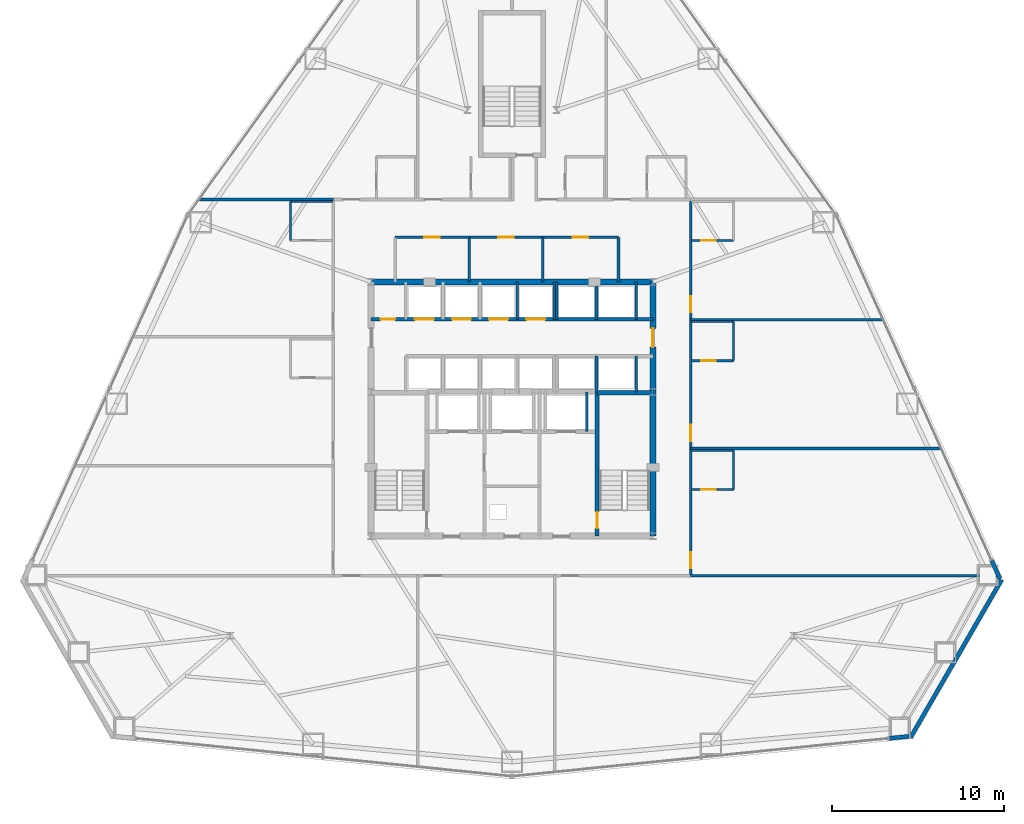
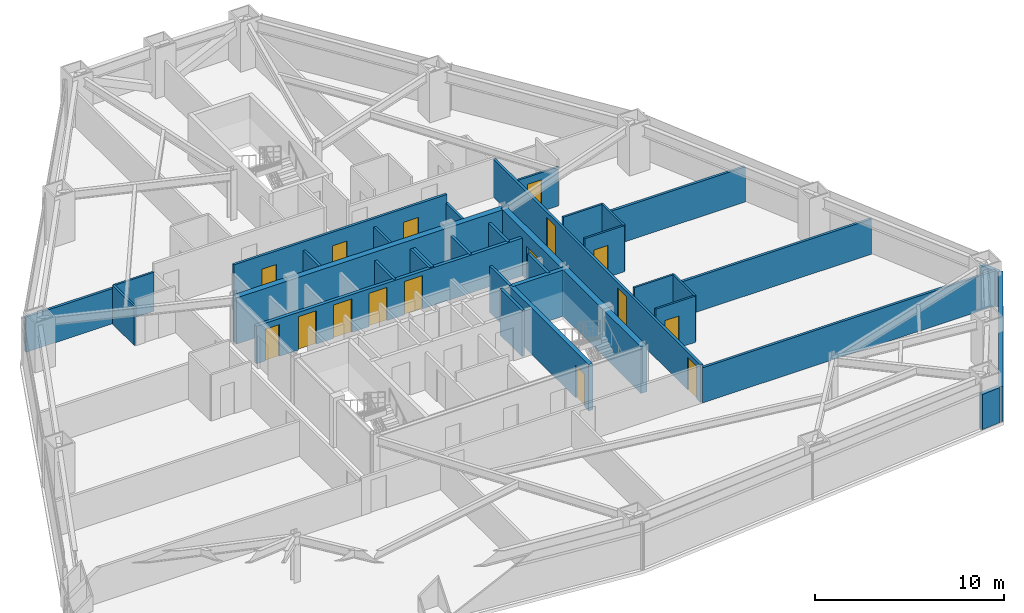
# One storey, part 10 of 12: 34 walls, 16 doors, 16 openings.
"""IFC4 building model written with IfcOpenShell, lengths in metres."""

from ifc_helpers import new_model, si_unit, direction, frame, frame_2d, origin, place, context, subcontext, project, spatial, rectangle, extrude, material, layer, layer_set, type_object, element, fill, save


model = new_model("IFC4")

# Units and contexts
model_context = context("Model", 3, precision=1e-05, world=origin(), true_north=direction((0.0, 1.0)))
body_context = subcontext(model_context, "Body", "Model", "MODEL_VIEW")
ifc_project = project(units=[si_unit("LENGTHUNIT", "METRE"), si_unit("AREAUNIT", "SQUARE_METRE"), si_unit("VOLUMEUNIT", "CUBIC_METRE"), si_unit("PLANEANGLEUNIT", "RADIAN"), si_unit("MASSUNIT", "GRAM", prefix="KILO")], contexts=[model_context])

# Site, building, storey
site_placement = place(None, origin())
site = spatial("IfcSite", under=ifc_project, at=site_placement, CompositionType="ELEMENT")
building_placement = place(site_placement, origin())
building = spatial("IfcBuilding", under=site, at=building_placement, Name="Varakhsha Concourse Tower", CompositionType="ELEMENT")
storey_placement = place(building_placement, frame((0.0, 0.0, 30.39990234375)))
storey = spatial("IfcBuildingStorey", under=building, at=storey_placement, Name="L07", CompositionType="ELEMENT", Elevation=30.39990234375)

# Wall
ifc_material_1 = material(Name="Concrete fc 65 MPa", Category="concrete")
ifc_layer_1 = layer(ifc_material_1, 0.35009765625, Name="WL-CORE-350")
ifc_layer_set_1 = layer_set([ifc_layer_1], Name="Concrete fc 65 MPa")
wall_type_1 = type_object("IfcWallType", Name="WL-CORE-350", PredefinedType="SHEAR", material=ifc_layer_set_1)
wall_1_placement = place(storey_placement, frame((31.800048828125, 31.199951171875, 0.0), z_axis=(0.0, 0.0, 1.0), x_axis=(1.0, 0.0, 0.0)))
element("IfcWall", 1, at=wall_1_placement, inside=storey, type_object=wall_type_1, Name="L07 Wall CWALL-N-L07", PredefinedType="SHEAR", context=body_context, shape_type="SweptSolid", body=[
    extrude(rectangle(XDim=16.39990234375, YDim=0.35009765625, at=frame_2d((8.199951171875, 0.0))), origin(), (0.0, 0.0, 1.0), 2.97998046875),
])

# Wall, opening, door
wall_2_placement = place(storey_placement, frame((48.199951171875, 16.39990234375, 0.0), z_axis=(0.0, 0.0, 1.0), x_axis=(0.0, 1.0, 0.0)))
wall_2 = element("IfcWall", 2, at=wall_2_placement, inside=storey, type_object=wall_type_1, Name="L07 Wall CWALL-E-L07", PredefinedType="SHEAR", context=body_context, shape_type="SweptSolid", body=[
    extrude(rectangle(XDim=14.800048828125, YDim=0.35009765625, at=frame_2d((7.39990234375, 0.0))), origin(), (0.0, 0.0, 1.0), 2.97998046875),
])
opening_1_placement = place(wall_2_placement, frame((11.0, 0.0, 0.0)))
opening_1 = element("IfcOpeningElement", 3, at=opening_1_placement, cuts=wall_2, Name="Opening DL-01", PredefinedType="OPENING", context=body_context, shape_type="SweptSolid", body=[
    extrude(rectangle(XDim=1.10009765625, YDim=2.14990234375, at=frame_2d((0.550048828125, 1.074951171875))), frame((0.0, 0.18505859375, 0.0), z_axis=(0.0, -1.0, 0.0), x_axis=(1.0, 0.0, 0.0)), (0.0, 0.0, 1.0), 0.3701171875),
])
ifc_material_2 = material(Name="Anodised Bronze Architectural Aluminium AA 6063-T6", Category="aluminium")
door_type_1 = type_object("IfcDoorType", Name="DR-LOB-1100", OperationType="NOTDEFINED", PredefinedType="DOOR", material=ifc_material_2)
door_1_placement = place(opening_1_placement, origin())
door_1 = element("IfcDoor", 4, at=door_1_placement, inside=storey, type_object=door_type_1, Name="L07 Lift Lobby East Concourse Door", OperationType="SINGLE_SWING_RIGHT", OverallHeight=2.14990234375, OverallWidth=1.10009765625, PredefinedType="DOOR", context=body_context, shape_type="SweptSolid", body=[
    extrude(rectangle(XDim=1.10009765625, YDim=2.14990234375, at=frame_2d((0.550048828125, 1.074951171875))), frame((0.0, 0.02490234375, 0.0), z_axis=(0.0, -1.0, 0.0), x_axis=(1.0, 0.0, 0.0)), (0.0, 0.0, 1.0), 0.050048828125),
])
fill(opening_1, door_1)

# Walls
ifc_material_3 = material(Name="Concrete fc 45 MPa", Category="concrete")
ifc_layer_2 = layer(ifc_material_3, 0.239990234375, Name="WL-EXT-CRN-240")
ifc_layer_set_2 = layer_set([ifc_layer_2], Name="Concrete fc 45 MPa")
wall_type_2 = type_object("IfcWallType", Name="WL-EXT-CRN-240", PredefinedType="SHEAR", material=ifc_layer_set_2)
wall_3_placement = place(storey_placement, frame((61.95654296875, 4.62060546875, 0.0), z_axis=(0.0, 0.0, 1.0), x_axis=(0.994970433754, 0.100169036914, 0.0)))
element("IfcWall", 5, at=wall_3_placement, inside=storey, type_object=wall_type_2, Name="L07 Wind-Corner Shoulder Wall F6", PredefinedType="SHEAR", context=body_context, shape_type="SweptSolid", body=[
    extrude(rectangle(XDim=1.16259765625, YDim=0.239990234375, at=frame_2d((0.581298828125, 0.0))), origin(), (0.0, 0.0, 1.0), 2.26318359375),
])
wall_4_placement = place(storey_placement, frame((68.509521484375, 13.85986328125, 0.0), z_axis=(0.0, 0.0, 1.0), x_axis=(-0.49998363312, -0.866034853001, 0.0)))
element("IfcWall", 6, at=wall_4_placement, inside=storey, type_object=wall_type_2, Name="L07 Chamfer Wind-Corner Insulated Wall F7", PredefinedType="SHEAR", context=body_context, shape_type="SweptSolid", body=[
    extrude(rectangle(XDim=10.599853515625, YDim=0.239990234375, at=frame_2d((5.2998046875, 0.0))), origin(), (0.0, 0.0, 1.0), 2.26318359375),
])
wall_5_placement = place(storey_placement, frame((68.412109375, 13.914794921875, 0.0), z_axis=(0.0, 0.0, 1.0), x_axis=(-0.410810004845, 0.91172097701, 0.0)))
element("IfcWall", 7, at=wall_5_placement, inside=storey, type_object=wall_type_2, Name="L07 Wind-Corner Shoulder Wall F8", PredefinedType="SHEAR", context=body_context, shape_type="SweptSolid", body=[
    extrude(rectangle(XDim=1.162353515625, YDim=0.239990234375, at=frame_2d((0.5810546875, 0.0))), origin(), (0.0, 0.0, 1.0), 2.26318359375),
])
ifc_material_4 = material(Name="Acoustic Gypsum Board Partition Assembly", Category="gypsum")
ifc_layer_3 = layer(ifc_material_4, 0.1201171875, Name="WL-PART-120")
ifc_layer_set_3 = layer_set([ifc_layer_3], Name="Acoustic Gypsum Board Partition Assembly")
wall_type_3 = type_object("IfcWallType", Name="WL-PART-120", PredefinedType="PARTITIONING", material=ifc_layer_set_3)
wall_6_placement = place(storey_placement, frame((27.110107421875, 33.610107421875, 0.0), z_axis=(0.0, 0.0, 1.0), x_axis=(0.0, 1.0, 0.0)))
element("IfcWall", 8, at=wall_6_placement, inside=storey, type_object=wall_type_3, Name="L07 Wall ENSW-W-L07-H06", PredefinedType="PARTITIONING", context=body_context, shape_type="SweptSolid", body=[
    extrude(rectangle(XDim=2.27978515625, YDim=0.1201171875, at=frame_2d((1.139892578125, 0.0))), origin(), (0.0, 0.0, 1.0), 2.51318359375),
])
wall_7_placement = place(storey_placement, frame((27.110107421875, 35.889892578125, 0.0), z_axis=(0.0, 0.0, 1.0), x_axis=(1.0, 0.0, 0.0)))
element("IfcWall", 9, at=wall_7_placement, inside=storey, type_object=wall_type_3, Name="L07 Wall ENSW-N-L07-H06", PredefinedType="PARTITIONING", context=body_context, shape_type="SweptSolid", body=[
    extrude(rectangle(XDim=2.429931640625, YDim=0.1201171875, at=frame_2d((1.21484375, 0.0))), origin(), (0.0, 0.0, 1.0), 2.51318359375),
])
wall_8_placement = place(storey_placement, frame((52.889892578125, 19.110107421875, 0.0), z_axis=(0.0, 0.0, 1.0), x_axis=(0.0, 1.0, 0.0)))
element("IfcWall", 10, at=wall_8_placement, inside=storey, type_object=wall_type_3, Name="L07 Wall ENSW-E-L07-H07", PredefinedType="PARTITIONING", context=body_context, shape_type="SweptSolid", body=[
    extrude(rectangle(XDim=2.27978515625, YDim=0.1201171875, at=frame_2d((1.139892578125, 0.0))), origin(), (0.0, 0.0, 1.0), 2.97998046875),
])

# Wall, opening, door
wall_9_placement = place(storey_placement, frame((50.4599609375, 19.110107421875, 0.0), z_axis=(0.0, 0.0, 1.0), x_axis=(1.0, 0.0, 0.0)))
wall_9 = element("IfcWall", 11, at=wall_9_placement, inside=storey, type_object=wall_type_3, Name="L07 Wall ENSW-S-L07-H07", PredefinedType="PARTITIONING", context=body_context, shape_type="SweptSolid", body=[
    extrude(rectangle(XDim=2.429931640625, YDim=0.1201171875, at=frame_2d((1.21484375, 0.0))), origin(), (0.0, 0.0, 1.0), 2.97998046875),
])
opening_2_placement = place(wall_9_placement, frame((0.550048828125, 0.0, 0.0)))
opening_2 = element("IfcOpeningElement", 12, at=opening_2_placement, cuts=wall_9, Name="Opening DI-01", PredefinedType="OPENING", context=body_context, shape_type="SweptSolid", body=[
    extrude(rectangle(XDim=0.85009765625, YDim=2.050048828125, at=frame_2d((0.425048828125, 1.02490234375))), frame((0.0, 0.070068359375, 0.0), z_axis=(0.0, -1.0, 0.0), x_axis=(1.0, 0.0, 0.0)), (0.0, 0.0, 1.0), 0.14013671875),
])
ifc_material_5 = material(Name="Architectural Walnut Acoustic Timber Door", Category="wood")
door_type_2 = type_object("IfcDoorType", Name="DR-INT-850", OperationType="NOTDEFINED", PredefinedType="DOOR", material=ifc_material_5)
door_2_placement = place(opening_2_placement, origin())
door_2 = element("IfcDoor", 13, at=door_2_placement, inside=storey, type_object=door_type_2, Name="L07 En-suite Bathroom Door L07-H07", OperationType="SINGLE_SWING_RIGHT", OverallHeight=2.050048828125, OverallWidth=0.85009765625, PredefinedType="DOOR", context=body_context, shape_type="SweptSolid", body=[
    extrude(rectangle(XDim=0.85009765625, YDim=2.050048828125, at=frame_2d((0.425048828125, 1.02490234375))), frame((0.0, 0.02490234375, 0.0), z_axis=(0.0, -1.0, 0.0), x_axis=(1.0, 0.0, 0.0)), (0.0, 0.0, 1.0), 0.050048828125),
])
fill(opening_2, door_2)

# Walls
wall_10_placement = place(storey_placement, frame((50.4599609375, 21.389892578125, 0.0), z_axis=(0.0, 0.0, 1.0), x_axis=(1.0, 0.0, 0.0)))
element("IfcWall", 14, at=wall_10_placement, inside=storey, type_object=wall_type_3, Name="L07 Wall ENSW-N-L07-H07", PredefinedType="PARTITIONING", context=body_context, shape_type="SweptSolid", body=[
    extrude(rectangle(XDim=2.429931640625, YDim=0.1201171875, at=frame_2d((1.21484375, 0.0))), origin(), (0.0, 0.0, 1.0), 2.97998046875),
])
wall_11_placement = place(storey_placement, frame((52.889892578125, 26.610107421875, 0.0), z_axis=(0.0, 0.0, 1.0), x_axis=(0.0, 1.0, 0.0)))
element("IfcWall", 15, at=wall_11_placement, inside=storey, type_object=wall_type_3, Name="L07 Wall ENSW-E-L07-H08", PredefinedType="PARTITIONING", context=body_context, shape_type="SweptSolid", body=[
    extrude(rectangle(XDim=2.27978515625, YDim=0.1201171875, at=frame_2d((1.139892578125, 0.0))), origin(), (0.0, 0.0, 1.0), 2.97998046875),
])

# Wall, opening, door
wall_12_placement = place(storey_placement, frame((50.4599609375, 26.610107421875, 0.0), z_axis=(0.0, 0.0, 1.0), x_axis=(1.0, 0.0, 0.0)))
wall_12 = element("IfcWall", 16, at=wall_12_placement, inside=storey, type_object=wall_type_3, Name="L07 Wall ENSW-S-L07-H08", PredefinedType="PARTITIONING", context=body_context, shape_type="SweptSolid", body=[
    extrude(rectangle(XDim=2.429931640625, YDim=0.1201171875, at=frame_2d((1.21484375, 0.0))), origin(), (0.0, 0.0, 1.0), 2.97998046875),
])
opening_3_placement = place(wall_12_placement, frame((0.550048828125, 0.0, 0.0)))
opening_3 = element("IfcOpeningElement", 17, at=opening_3_placement, cuts=wall_12, Name="Opening DI-01", PredefinedType="OPENING", context=body_context, shape_type="SweptSolid", body=[
    extrude(rectangle(XDim=0.85009765625, YDim=2.050048828125, at=frame_2d((0.425048828125, 1.02490234375))), frame((0.0, 0.070068359375, 0.0), z_axis=(0.0, -1.0, 0.0), x_axis=(1.0, 0.0, 0.0)), (0.0, 0.0, 1.0), 0.14013671875),
])
door_3_placement = place(opening_3_placement, origin())
door_3 = element("IfcDoor", 18, at=door_3_placement, inside=storey, type_object=door_type_2, Name="L07 En-suite Bathroom Door L07-H08", OperationType="SINGLE_SWING_RIGHT", OverallHeight=2.050048828125, OverallWidth=0.85009765625, PredefinedType="DOOR", context=body_context, shape_type="SweptSolid", body=[
    extrude(rectangle(XDim=0.85009765625, YDim=2.050048828125, at=frame_2d((0.425048828125, 1.02490234375))), frame((0.0, 0.02490234375, 0.0), z_axis=(0.0, -1.0, 0.0), x_axis=(1.0, 0.0, 0.0)), (0.0, 0.0, 1.0), 0.050048828125),
])
fill(opening_3, door_3)

# Wall
wall_13_placement = place(storey_placement, frame((50.4599609375, 28.889892578125, 0.0), z_axis=(0.0, 0.0, 1.0), x_axis=(1.0, 0.0, 0.0)))
element("IfcWall", 19, at=wall_13_placement, inside=storey, type_object=wall_type_3, Name="L07 Wall ENSW-N-L07-H08", PredefinedType="PARTITIONING", context=body_context, shape_type="SweptSolid", body=[
    extrude(rectangle(XDim=2.429931640625, YDim=0.1201171875, at=frame_2d((1.21484375, 0.0))), origin(), (0.0, 0.0, 1.0), 2.97998046875),
])

# Wall, opening, door
wall_14_placement = place(storey_placement, frame((50.4599609375, 33.610107421875, 0.0), z_axis=(0.0, 0.0, 1.0), x_axis=(1.0, 0.0, 0.0)))
wall_14 = element("IfcWall", 20, at=wall_14_placement, inside=storey, type_object=wall_type_3, Name="L07 Wall ENSW-S-L07-H09", PredefinedType="PARTITIONING", context=body_context, shape_type="SweptSolid", body=[
    extrude(rectangle(XDim=2.429931640625, YDim=0.1201171875, at=frame_2d((1.21484375, 0.0))), origin(), (0.0, 0.0, 1.0), 2.51318359375),
])
opening_4_placement = place(wall_14_placement, frame((0.550048828125, 0.0, 0.0)))
opening_4 = element("IfcOpeningElement", 21, at=opening_4_placement, cuts=wall_14, Name="Opening DI-01", PredefinedType="OPENING", context=body_context, shape_type="SweptSolid", body=[
    extrude(rectangle(XDim=0.85009765625, YDim=2.050048828125, at=frame_2d((0.425048828125, 1.02490234375))), frame((0.0, 0.070068359375, 0.0), z_axis=(0.0, -1.0, 0.0), x_axis=(1.0, 0.0, 0.0)), (0.0, 0.0, 1.0), 0.14013671875),
])
door_4_placement = place(opening_4_placement, origin())
door_4 = element("IfcDoor", 22, at=door_4_placement, inside=storey, type_object=door_type_2, Name="L07 En-suite Bathroom Door L07-H09", OperationType="SINGLE_SWING_RIGHT", OverallHeight=2.050048828125, OverallWidth=0.85009765625, PredefinedType="DOOR", context=body_context, shape_type="SweptSolid", body=[
    extrude(rectangle(XDim=0.85009765625, YDim=2.050048828125, at=frame_2d((0.425048828125, 1.02490234375))), frame((0.0, 0.02490234375, 0.0), z_axis=(0.0, -1.0, 0.0), x_axis=(1.0, 0.0, 0.0)), (0.0, 0.0, 1.0), 0.050048828125),
])
fill(opening_4, door_4)

# Wall, openings, doors
ifc_material_6 = material(Name="Fire-Rated Type X Gypsum Partition Assembly", Category="gypsum")
ifc_layer_4 = layer(ifc_material_6, 0.14990234375, Name="WL-PART-150")
ifc_layer_set_4 = layer_set([ifc_layer_4], Name="Fire-Rated Type X Gypsum Partition Assembly")
wall_type_4 = type_object("IfcWallType", Name="WL-PART-150", PredefinedType="PARTITIONING", material=ifc_layer_set_4)
wall_15_placement = place(storey_placement, frame((33.199951171875, 33.800048828125, 0.0), z_axis=(0.0, 0.0, 1.0), x_axis=(1.0, 0.0, 0.0)))
wall_15 = element("IfcWall", 23, at=wall_15_placement, inside=storey, type_object=wall_type_4, Name="L07 Wall NBOH-N-L07", PredefinedType="PARTITIONING", context=body_context, shape_type="SweptSolid", body=[
    extrude(rectangle(XDim=13.0, YDim=0.14990234375, at=frame_2d((6.5, 0.0))), origin(), (0.0, 0.0, 1.0), 2.97998046875),
])
opening_5_placement = place(wall_15_placement, frame((1.699951171875, 0.0, 0.0)))
opening_5 = element("IfcOpeningElement", 24, at=opening_5_placement, cuts=wall_15, Name="Opening DF-06", PredefinedType="OPENING", context=body_context, shape_type="SweptSolid", body=[
    extrude(rectangle(XDim=0.89990234375, YDim=2.10009765625, at=frame_2d((0.449951171875, 1.050048828125))), frame((0.0, 0.0849609375, 0.0), z_axis=(0.0, -1.0, 0.0), x_axis=(1.0, 0.0, 0.0)), (0.0, 0.0, 1.0), 0.169921875),
])
opening_6_placement = place(wall_15_placement, frame((6.0, 0.0, 0.0)))
opening_6 = element("IfcOpeningElement", 25, at=opening_6_placement, cuts=wall_15, Name="Opening DF-06", PredefinedType="OPENING", context=body_context, shape_type="SweptSolid", body=[
    extrude(rectangle(XDim=0.89990234375, YDim=2.10009765625, at=frame_2d((0.449951171875, 1.050048828125))), frame((0.0, 0.0849609375, 0.0), z_axis=(0.0, -1.0, 0.0), x_axis=(1.0, 0.0, 0.0)), (0.0, 0.0, 1.0), 0.169921875),
])
opening_7_placement = place(wall_15_placement, frame((10.35009765625, 0.0, 0.0)))
opening_7 = element("IfcOpeningElement", 26, at=opening_7_placement, cuts=wall_15, Name="Opening DF-06", PredefinedType="OPENING", context=body_context, shape_type="SweptSolid", body=[
    extrude(rectangle(XDim=0.89990234375, YDim=2.10009765625, at=frame_2d((0.449951171875, 1.050048828125))), frame((0.0, 0.0849609375, 0.0), z_axis=(0.0, -1.0, 0.0), x_axis=(1.0, 0.0, 0.0)), (0.0, 0.0, 1.0), 0.169921875),
])
ifc_material_7 = material(Name="Hollow Galvanised Steel Fire Door Assembly", Category="steel")
door_type_3 = type_object("IfcDoorType", Name="DR-FD60-900", OperationType="NOTDEFINED", PredefinedType="DOOR", material=ifc_material_7)
door_5_placement = place(opening_5_placement, origin())
door_5 = element("IfcDoor", 27, at=door_5_placement, inside=storey, type_object=door_type_3, Name="L07 Housekeeping and Linen Room Door", OperationType="SINGLE_SWING_LEFT", OverallHeight=2.10009765625, OverallWidth=0.89990234375, PredefinedType="DOOR", context=body_context, shape_type="SweptSolid", body=[
    extrude(rectangle(XDim=0.89990234375, YDim=2.10009765625, at=frame_2d((0.449951171875, 1.050048828125))), frame((0.0, 0.02490234375, 0.0), z_axis=(0.0, -1.0, 0.0), x_axis=(1.0, 0.0, 0.0)), (0.0, 0.0, 1.0), 0.050048828125),
])
fill(opening_5, door_5)
door_6_placement = place(opening_6_placement, origin())
door_6 = element("IfcDoor", 28, at=door_6_placement, inside=storey, type_object=door_type_3, Name="L07 Accessible WC Door", OperationType="SINGLE_SWING_RIGHT", OverallHeight=2.10009765625, OverallWidth=0.89990234375, PredefinedType="DOOR", context=body_context, shape_type="SweptSolid", body=[
    extrude(rectangle(XDim=0.89990234375, YDim=2.10009765625, at=frame_2d((0.449951171875, 1.050048828125))), frame((0.0, 0.02490234375, 0.0), z_axis=(0.0, -1.0, 0.0), x_axis=(1.0, 0.0, 0.0)), (0.0, 0.0, 1.0), 0.050048828125),
])
fill(opening_6, door_6)
door_7_placement = place(opening_7_placement, origin())
door_7 = element("IfcDoor", 29, at=door_7_placement, inside=storey, type_object=door_type_3, Name="L07 Staff Restroom WC Door", OperationType="SINGLE_SWING_LEFT", OverallHeight=2.10009765625, OverallWidth=0.89990234375, PredefinedType="DOOR", context=body_context, shape_type="SweptSolid", body=[
    extrude(rectangle(XDim=0.89990234375, YDim=2.10009765625, at=frame_2d((0.449951171875, 1.050048828125))), frame((0.0, 0.02490234375, 0.0), z_axis=(0.0, -1.0, 0.0), x_axis=(1.0, 0.0, 0.0)), (0.0, 0.0, 1.0), 0.050048828125),
])
fill(opening_7, door_7)

# Walls
for number, where, z_axis, x_axis, name in (
    (30, (46.199951171875, 31.199951171875, 0.0), (0.0, 0.0, 1.0), (0.0, 1.0, 0.0), "L07 Wall NBOH-E-L07"),
    (31, (37.5, 31.199951171875, 0.0), (0.0, 0.0, 1.0), (0.0, 1.0, 0.0), "L07 Wall NBOH-D1-L07"),
    (32, (41.800048828125, 31.199951171875, 0.0), (0.0, 0.0, 1.0), (0.0, 1.0, 0.0), "L07 Wall NBOH-D2-L07"),
):
    element("IfcWall", number, at=place(storey_placement, frame(where, z_axis=z_axis, x_axis=x_axis)), inside=storey, type_object=wall_type_4, Name=name, PredefinedType="PARTITIONING", context=body_context, shape_type="SweptSolid", body=[
        extrude(rectangle(XDim=2.60009765625, YDim=0.14990234375, at=frame_2d((1.300048828125, 0.0))), origin(), (0.0, 0.0, 1.0), 2.43115234375),
    ])

# Wall, openings, doors
wall_16_placement = place(storey_placement, frame((50.39990234375, 14.10009765625, 0.0), z_axis=(0.0, 0.0, 1.0), x_axis=(0.0, 1.0, 0.0)))
wall_16 = element("IfcWall", 33, at=wall_16_placement, inside=storey, type_object=wall_type_4, Name="L07 Wall CRW-E-L07", PredefinedType="PARTITIONING", context=body_context, shape_type="SweptSolid", body=[
    extrude(rectangle(XDim=21.89990234375, YDim=0.14990234375, at=frame_2d((10.949951171875, 0.0))), origin(), (0.0, 0.0, 1.0), 2.43115234375),
])
opening_8_placement = place(wall_16_placement, frame((0.419921875, 0.0, 0.0)))
opening_8 = element("IfcOpeningElement", 34, at=opening_8_placement, cuts=wall_16, Name="Opening DF-05", PredefinedType="OPENING", context=body_context, shape_type="SweptSolid", body=[
    extrude(rectangle(XDim=0.949951171875, YDim=2.10009765625, at=frame_2d((0.47509765625, 1.050048828125))), frame((0.0, 0.0849609375, 0.0), z_axis=(0.0, -1.0, 0.0), x_axis=(1.0, 0.0, 0.0)), (0.0, 0.0, 1.0), 0.169921875),
])
opening_9_placement = place(wall_16_placement, frame((7.820068359375, 0.0, 0.0)))
opening_9 = element("IfcOpeningElement", 35, at=opening_9_placement, cuts=wall_16, Name="Opening DF-05", PredefinedType="OPENING", context=body_context, shape_type="SweptSolid", body=[
    extrude(rectangle(XDim=0.949951171875, YDim=2.10009765625, at=frame_2d((0.47509765625, 1.050048828125))), frame((0.0, 0.0849609375, 0.0), z_axis=(0.0, -1.0, 0.0), x_axis=(1.0, 0.0, 0.0)), (0.0, 0.0, 1.0), 0.169921875),
])
opening_10_placement = place(wall_16_placement, frame((15.320068359375, 0.0, 0.0)))
opening_10 = element("IfcOpeningElement", 36, at=opening_10_placement, cuts=wall_16, Name="Opening DF-05", PredefinedType="OPENING", context=body_context, shape_type="SweptSolid", body=[
    extrude(rectangle(XDim=0.949951171875, YDim=2.10009765625, at=frame_2d((0.47509765625, 1.050048828125))), frame((0.0, 0.0849609375, 0.0), z_axis=(0.0, -1.0, 0.0), x_axis=(1.0, 0.0, 0.0)), (0.0, 0.0, 1.0), 0.169921875),
])
door_type_4 = type_object("IfcDoorType", Name="DR-FD60-950", OperationType="NOTDEFINED", PredefinedType="DOOR", material=ifc_material_7)
door_8_placement = place(opening_8_placement, origin())
door_8 = element("IfcDoor", 37, at=door_8_placement, inside=storey, type_object=door_type_4, Name="L07 Hotel Corner Suite L07-H07 Entry Door", OperationType="SINGLE_SWING_LEFT", OverallHeight=2.10009765625, OverallWidth=0.949951171875, PredefinedType="DOOR", context=body_context, shape_type="SweptSolid", body=[
    extrude(rectangle(XDim=0.949951171875, YDim=2.10009765625, at=frame_2d((0.47509765625, 1.050048828125))), frame((0.0, 0.02490234375, 0.0), z_axis=(0.0, -1.0, 0.0), x_axis=(1.0, 0.0, 0.0)), (0.0, 0.0, 1.0), 0.050048828125),
])
fill(opening_8, door_8)
door_9_placement = place(opening_9_placement, origin())
door_9 = element("IfcDoor", 38, at=door_9_placement, inside=storey, type_object=door_type_4, Name="L07 Hotel Corner Suite L07-H08 Entry Door", OperationType="SINGLE_SWING_RIGHT", OverallHeight=2.10009765625, OverallWidth=0.949951171875, PredefinedType="DOOR", context=body_context, shape_type="SweptSolid", body=[
    extrude(rectangle(XDim=0.949951171875, YDim=2.10009765625, at=frame_2d((0.47509765625, 1.050048828125))), frame((0.0, 0.02490234375, 0.0), z_axis=(0.0, -1.0, 0.0), x_axis=(1.0, 0.0, 0.0)), (0.0, 0.0, 1.0), 0.050048828125),
])
fill(opening_9, door_9)
door_10_placement = place(opening_10_placement, origin())
door_10 = element("IfcDoor", 39, at=door_10_placement, inside=storey, type_object=door_type_4, Name="L07 Hotel Corner Suite L07-H09 Entry Door", OperationType="SINGLE_SWING_LEFT", OverallHeight=2.10009765625, OverallWidth=0.949951171875, PredefinedType="DOOR", context=body_context, shape_type="SweptSolid", body=[
    extrude(rectangle(XDim=0.949951171875, YDim=2.10009765625, at=frame_2d((0.47509765625, 1.050048828125))), frame((0.0, 0.02490234375, 0.0), z_axis=(0.0, -1.0, 0.0), x_axis=(1.0, 0.0, 0.0)), (0.0, 0.0, 1.0), 0.050048828125),
])
fill(opening_10, door_10)

# Walls
wall_17_placement = place(storey_placement, frame((21.78564453125, 36.0, 0.0), z_axis=(0.0, 0.0, 1.0), x_axis=(1.0, 0.0, 0.0)))
element("IfcWall", 40, at=wall_17_placement, inside=storey, type_object=wall_type_4, Name="L07 Wall HDIV-WBN-L07", PredefinedType="PARTITIONING", context=body_context, shape_type="SweptSolid", body=[
    extrude(rectangle(XDim=7.814453125, YDim=0.14990234375, at=frame_2d((3.9072265625, 0.0))), origin(), (0.0, 0.0, 1.0), 2.26806640625),
])
wall_18_placement = place(storey_placement, frame((50.39990234375, 14.10009765625, 0.0), z_axis=(0.0, 0.0, 1.0), x_axis=(1.0, 0.0, 0.0)))
element("IfcWall", 41, at=wall_18_placement, inside=storey, type_object=wall_type_4, Name="L07 Wall HDIV-EB0-L07", PredefinedType="PARTITIONING", context=body_context, shape_type="SweptSolid", body=[
    extrude(rectangle(XDim=17.923095703125, YDim=0.14990234375, at=frame_2d((8.96142578125, 0.0))), origin(), (0.0, 0.0, 1.0), 2.26806640625),
])
wall_19_placement = place(storey_placement, frame((50.39990234375, 21.5, 0.0), z_axis=(0.0, 0.0, 1.0), x_axis=(1.0, 0.0, 0.0)))
element("IfcWall", 42, at=wall_19_placement, inside=storey, type_object=wall_type_4, Name="L07 Wall HDIV-E1-L07", PredefinedType="PARTITIONING", context=body_context, shape_type="SweptSolid", body=[
    extrude(rectangle(XDim=14.590087890625, YDim=0.14990234375, at=frame_2d((7.294921875, 0.0))), origin(), (0.0, 0.0, 1.0), 2.26806640625),
])
wall_20_placement = place(storey_placement, frame((50.39990234375, 29.0, 0.0), z_axis=(0.0, 0.0, 1.0), x_axis=(1.0, 0.0, 0.0)))
element("IfcWall", 43, at=wall_20_placement, inside=storey, type_object=wall_type_4, Name="L07 Wall HDIV-E2-L07", PredefinedType="PARTITIONING", context=body_context, shape_type="SweptSolid", body=[
    extrude(rectangle(XDim=11.2119140625, YDim=0.14990234375, at=frame_2d((5.60595703125, 0.0))), origin(), (0.0, 0.0, 1.0), 2.26806640625),
])
ifc_layer_5 = layer(ifc_material_6, 0.199951171875, Name="WL-SHAFT-220")
ifc_layer_set_5 = layer_set([ifc_layer_5], Name="Fire-Rated Type X Gypsum Partition Assembly")
wall_type_5 = type_object("IfcWallType", Name="WL-SHAFT-220", PredefinedType="SOLIDWALL", material=ifc_layer_set_5)
wall_21_placement = place(storey_placement, frame((44.35009765625, 22.47998046875, 0.0), z_axis=(0.0, 0.0, 1.0), x_axis=(0.0, 1.0, 0.0)))
element("IfcWall", 44, at=wall_21_placement, inside=storey, type_object=wall_type_5, Name="L07 Wall SHW-FFL-2-E-L07", PredefinedType="SOLIDWALL", context=body_context, shape_type="SweptSolid", body=[
    extrude(rectangle(XDim=2.320068359375, YDim=0.159912109375, at=frame_2d((1.16015625, 0.0))), origin(), (0.0, 0.0, 1.0), 2.97998046875),
])

# Wall, openings, doors
wall_22_placement = place(storey_placement, frame((31.800048828125, 29.02001953125, 0.0), z_axis=(0.0, 0.0, 1.0), x_axis=(1.0, 0.0, 0.0)))
wall_22 = element("IfcWall", 45, at=wall_22_placement, inside=storey, type_object=wall_type_5, Name="L07 Wall PLW-N-L07", PredefinedType="SOLIDWALL", context=body_context, shape_type="SweptSolid", body=[
    extrude(rectangle(XDim=16.39990234375, YDim=0.199951171875, at=frame_2d((8.199951171875, 0.0))), origin(), (0.0, 0.0, 1.0), 2.43115234375),
])
opening_11_placement = place(wall_22_placement, frame((0.550048828125, 0.0, 0.0)))
opening_11 = element("IfcOpeningElement", 46, at=opening_11_placement, cuts=wall_22, Name="Opening DF-07", PredefinedType="OPENING", context=body_context, shape_type="SweptSolid", body=[
    extrude(rectangle(XDim=0.85009765625, YDim=2.050048828125, at=frame_2d((0.425048828125, 1.02490234375))), frame((0.0, 0.10986328125, 0.0), z_axis=(0.0, -1.0, 0.0), x_axis=(1.0, 0.0, 0.0)), (0.0, 0.0, 1.0), 0.219970703125),
])
opening_12_placement = place(wall_22_placement, frame((2.550048828125, 0.0, 0.0)))
opening_12 = element("IfcOpeningElement", 47, at=opening_12_placement, cuts=wall_22, Name="Opening LD-LF-P01", PredefinedType="OPENING", context=body_context, shape_type="SweptSolid", body=[
    extrude(rectangle(XDim=1.10009765625, YDim=2.14990234375, at=frame_2d((0.550048828125, 1.074951171875))), frame((0.0, 0.10986328125, 0.0), z_axis=(0.0, -1.0, 0.0), x_axis=(1.0, 0.0, 0.0)), (0.0, 0.0, 1.0), 0.219970703125),
])
opening_13_placement = place(wall_22_placement, frame((4.7099609375, 0.0, 0.0)))
opening_13 = element("IfcOpeningElement", 48, at=opening_13_placement, cuts=wall_22, Name="Opening LD-LF-P02", PredefinedType="OPENING", context=body_context, shape_type="SweptSolid", body=[
    extrude(rectangle(XDim=1.10009765625, YDim=2.14990234375, at=frame_2d((0.550048828125, 1.074951171875))), frame((0.0, 0.10986328125, 0.0), z_axis=(0.0, -1.0, 0.0), x_axis=(1.0, 0.0, 0.0)), (0.0, 0.0, 1.0), 0.219970703125),
])
opening_14_placement = place(wall_22_placement, frame((6.8701171875, 0.0, 0.0)))
opening_14 = element("IfcOpeningElement", 49, at=opening_14_placement, cuts=wall_22, Name="Opening LD-LF-P03", PredefinedType="OPENING", context=body_context, shape_type="SweptSolid", body=[
    extrude(rectangle(XDim=1.10009765625, YDim=2.14990234375, at=frame_2d((0.550048828125, 1.074951171875))), frame((0.0, 0.10986328125, 0.0), z_axis=(0.0, -1.0, 0.0), x_axis=(1.0, 0.0, 0.0)), (0.0, 0.0, 1.0), 0.219970703125),
])
opening_15_placement = place(wall_22_placement, frame((9.030029296875, 0.0, 0.0)))
opening_15 = element("IfcOpeningElement", 50, at=opening_15_placement, cuts=wall_22, Name="Opening LD-LF-P04", PredefinedType="OPENING", context=body_context, shape_type="SweptSolid", body=[
    extrude(rectangle(XDim=1.10009765625, YDim=2.14990234375, at=frame_2d((0.550048828125, 1.074951171875))), frame((0.0, 0.10986328125, 0.0), z_axis=(0.0, -1.0, 0.0), x_axis=(1.0, 0.0, 0.0)), (0.0, 0.0, 1.0), 0.219970703125),
])
door_type_5 = type_object("IfcDoorType", Name="DR-FD60-850", OperationType="NOTDEFINED", PredefinedType="DOOR", material=ifc_material_7)
door_11_placement = place(opening_11_placement, origin())
door_11 = element("IfcDoor", 51, at=door_11_placement, inside=storey, type_object=door_type_5, Name="L07 Core Janitor Closet Door", OperationType="SINGLE_SWING_LEFT", OverallHeight=2.050048828125, OverallWidth=0.85009765625, PredefinedType="DOOR", context=body_context, shape_type="SweptSolid", body=[
    extrude(rectangle(XDim=0.85009765625, YDim=2.050048828125, at=frame_2d((0.425048828125, 1.02490234375))), frame((0.0, 0.02490234375, 0.0), z_axis=(0.0, -1.0, 0.0), x_axis=(1.0, 0.0, 0.0)), (0.0, 0.0, 1.0), 0.050048828125),
])
fill(opening_11, door_11)
ifc_material_8 = material(Name="Brushed Austenitic Stainless Steel AISI 316", Category="steel")
door_type_6 = type_object("IfcDoorType", Name="DR-LD-1100", OperationType="DOUBLE_DOOR_SLIDING", PredefinedType="DOOR", material=ifc_material_8)
door_12_placement = place(opening_12_placement, origin())
door_12 = element("IfcDoor", 52, at=door_12_placement, inside=storey, type_object=door_type_6, Name="Lift Landing Door LF-P01 L07", OperationType="DOUBLE_DOOR_SLIDING", OverallHeight=2.14990234375, OverallWidth=1.10009765625, PredefinedType="DOOR", context=body_context, shape_type="SweptSolid", body=[
    extrude(rectangle(XDim=1.10009765625, YDim=2.14990234375, at=frame_2d((0.550048828125, 1.074951171875))), frame((0.0, 0.02490234375, 0.0), z_axis=(0.0, -1.0, 0.0), x_axis=(1.0, 0.0, 0.0)), (0.0, 0.0, 1.0), 0.050048828125),
])
fill(opening_12, door_12)
door_13_placement = place(opening_13_placement, origin())
door_13 = element("IfcDoor", 53, at=door_13_placement, inside=storey, type_object=door_type_6, Name="Lift Landing Door LF-P02 L07", OperationType="DOUBLE_DOOR_SLIDING", OverallHeight=2.14990234375, OverallWidth=1.10009765625, PredefinedType="DOOR", context=body_context, shape_type="SweptSolid", body=[
    extrude(rectangle(XDim=1.10009765625, YDim=2.14990234375, at=frame_2d((0.550048828125, 1.074951171875))), frame((0.0, 0.02490234375, 0.0), z_axis=(0.0, -1.0, 0.0), x_axis=(1.0, 0.0, 0.0)), (0.0, 0.0, 1.0), 0.050048828125),
])
fill(opening_13, door_13)
door_14_placement = place(opening_14_placement, origin())
door_14 = element("IfcDoor", 54, at=door_14_placement, inside=storey, type_object=door_type_6, Name="Lift Landing Door LF-P03 L07", OperationType="DOUBLE_DOOR_SLIDING", OverallHeight=2.14990234375, OverallWidth=1.10009765625, PredefinedType="DOOR", context=body_context, shape_type="SweptSolid", body=[
    extrude(rectangle(XDim=1.10009765625, YDim=2.14990234375, at=frame_2d((0.550048828125, 1.074951171875))), frame((0.0, 0.02490234375, 0.0), z_axis=(0.0, -1.0, 0.0), x_axis=(1.0, 0.0, 0.0)), (0.0, 0.0, 1.0), 0.050048828125),
])
fill(opening_14, door_14)
door_15_placement = place(opening_15_placement, origin())
door_15 = element("IfcDoor", 55, at=door_15_placement, inside=storey, type_object=door_type_6, Name="Lift Landing Door LF-P04 L07", OperationType="DOUBLE_DOOR_SLIDING", OverallHeight=2.14990234375, OverallWidth=1.10009765625, PredefinedType="DOOR", context=body_context, shape_type="SweptSolid", body=[
    extrude(rectangle(XDim=1.10009765625, YDim=2.14990234375, at=frame_2d((0.550048828125, 1.074951171875))), frame((0.0, 0.02490234375, 0.0), z_axis=(0.0, -1.0, 0.0), x_axis=(1.0, 0.0, 0.0)), (0.0, 0.0, 1.0), 0.050048828125),
])
fill(opening_15, door_15)

# Walls
for number, where, z_axis, x_axis, name in (
    (56, (40.300048828125, 29.02001953125, 0.0), (0.0, 0.0, 1.0), (0.0, 1.0, 0.0), "L07 Wall SHW-LF-P03-E-L07"),
    (57, (42.4599609375, 29.02001953125, 0.0), (0.0, 0.0, 1.0), (0.0, 1.0, 0.0), "L07 Wall SHW-LF-P04-E-L07"),
    (58, (42.60009765625, 29.02001953125, 0.0), (0.0, 0.0, 1.0), (0.0, 1.0, 0.0), "L07 Wall SHW-LF-P09-W-L07"),
    (59, (44.919921875, 29.02001953125, 0.0), (0.0, 0.0, 1.0), (0.0, 1.0, 0.0), "L07 Wall SHW-LF-P09-E-L07"),
    (60, (47.239990234375, 29.02001953125, 0.0), (0.0, 0.0, 1.0), (0.0, 1.0, 0.0), "L07 Wall SHW-LF-P10-E-L07"),
):
    element("IfcWall", number, at=place(storey_placement, frame(where, z_axis=z_axis, x_axis=x_axis)), inside=storey, type_object=wall_type_5, Name=name, PredefinedType="SOLIDWALL", context=body_context, shape_type="SweptSolid", body=[
        extrude(rectangle(XDim=2.179931640625, YDim=0.159912109375, at=frame_2d((1.08984375, 0.0))), origin(), (0.0, 0.0, 1.0), 2.43115234375),
    ])
for number, where, z_axis, x_axis, name in (
    (61, (44.919921875, 24.800048828125, 0.0), (0.0, 0.0, 1.0), (0.0, 1.0, 0.0), "L07 Wall SHW-LF-P11-E-L07"),
    (62, (47.239990234375, 24.800048828125, 0.0), (0.0, 0.0, 1.0), (0.0, 1.0, 0.0), "L07 Wall SHW-LF-P12-E-L07"),
):
    element("IfcWall", number, at=place(storey_placement, frame(where, z_axis=z_axis, x_axis=x_axis)), inside=storey, type_object=wall_type_5, Name=name, PredefinedType="SOLIDWALL", context=body_context, shape_type="SweptSolid", body=[
        extrude(rectangle(XDim=2.079833984375, YDim=0.159912109375, at=frame_2d((1.0400390625, 0.0))), origin(), (0.0, 0.0, 1.0), 2.97998046875),
    ])

# Wall, opening, door
ifc_layer_6 = layer(ifc_material_3, 0.25, Name="WL-STAIR-250")
ifc_layer_set_6 = layer_set([ifc_layer_6], Name="Concrete fc 45 MPa")
wall_type_6 = type_object("IfcWallType", Name="WL-STAIR-250", PredefinedType="SHEAR", material=ifc_layer_set_6)
wall_23_placement = place(storey_placement, frame((44.955078125, 16.39990234375, 0.0), z_axis=(0.0, 0.0, 1.0), x_axis=(0.0, 1.0, 0.0)))
wall_23 = element("IfcWall", 63, at=wall_23_placement, inside=storey, type_object=wall_type_6, Name="L07 Wall SWALL-ST2-W-L07", PredefinedType="SHEAR", context=body_context, shape_type="SweptSolid", body=[
    extrude(rectangle(XDim=8.400146484375, YDim=0.25, at=frame_2d((4.2001953125, 0.0))), origin(), (0.0, 0.0, 1.0), 2.97998046875),
])
opening_16_placement = place(wall_23_placement, frame((0.449951171875, 0.0, 0.0)))
opening_16 = element("IfcOpeningElement", 64, at=opening_16_placement, cuts=wall_23, Name="Opening DF-03", PredefinedType="OPENING", context=body_context, shape_type="SweptSolid", body=[
    extrude(rectangle(XDim=0.949951171875, YDim=2.10009765625, at=frame_2d((0.47509765625, 1.050048828125))), frame((0.0, 0.135009765625, 0.0), z_axis=(0.0, -1.0, 0.0), x_axis=(1.0, 0.0, 0.0)), (0.0, 0.0, 1.0), 0.27001953125),
])
door_type_7 = type_object("IfcDoorType", Name="DR-FD90-950", OperationType="NOTDEFINED", PredefinedType="DOOR", material=ifc_material_7)
door_16_placement = place(opening_16_placement, origin())
door_16 = element("IfcDoor", 65, at=door_16_placement, inside=storey, type_object=door_type_7, Name="L07 Stair ST2 Fire Door", OperationType="SINGLE_SWING_RIGHT", OverallHeight=2.10009765625, OverallWidth=0.949951171875, PredefinedType="DOOR", context=body_context, shape_type="SweptSolid", body=[
    extrude(rectangle(XDim=0.949951171875, YDim=2.10009765625, at=frame_2d((0.47509765625, 1.050048828125))), frame((0.0, 0.02490234375, 0.0), z_axis=(0.0, -1.0, 0.0), x_axis=(1.0, 0.0, 0.0)), (0.0, 0.0, 1.0), 0.050048828125),
])
fill(opening_16, door_16)

# Wall
wall_24_placement = place(storey_placement, frame((44.955078125, 24.7548828125, 0.0), z_axis=(0.0, 0.0, 1.0), x_axis=(1.0, 0.0, 0.0)))
element("IfcWall", 66, at=wall_24_placement, inside=storey, type_object=wall_type_6, Name="L07 Wall SWALL-ST2-N-L07", PredefinedType="SHEAR", context=body_context, shape_type="SweptSolid", body=[
    extrude(rectangle(XDim=3.244873046875, YDim=0.25, at=frame_2d((1.62255859375, 0.0))), origin(), (0.0, 0.0, 1.0), 2.97998046875),
])

save(model, "model.ifc")
